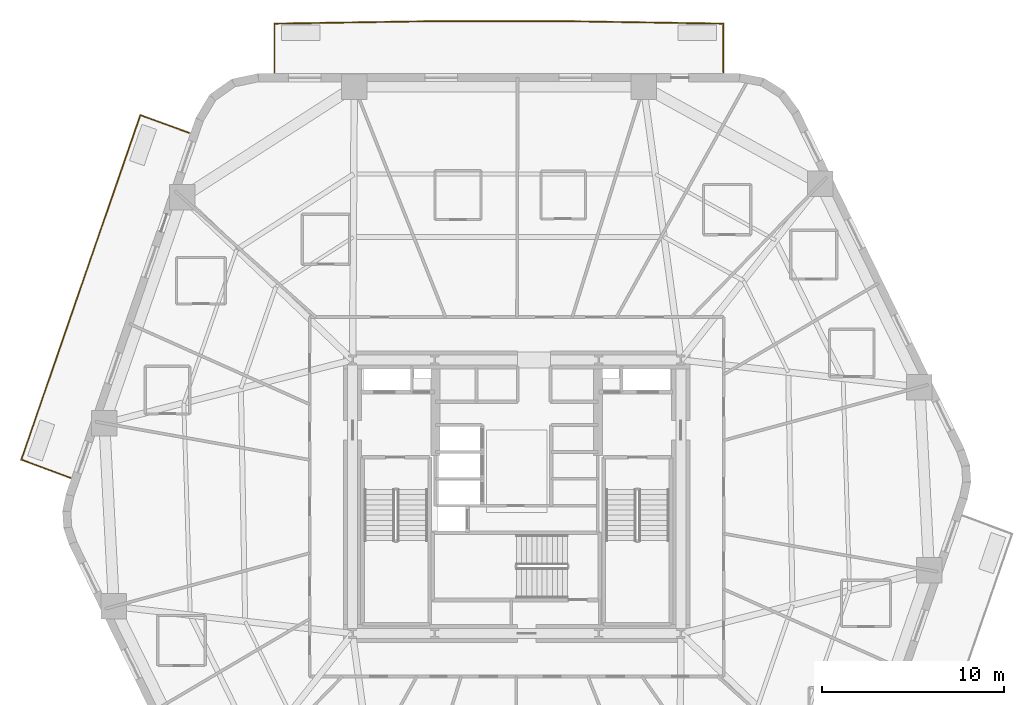
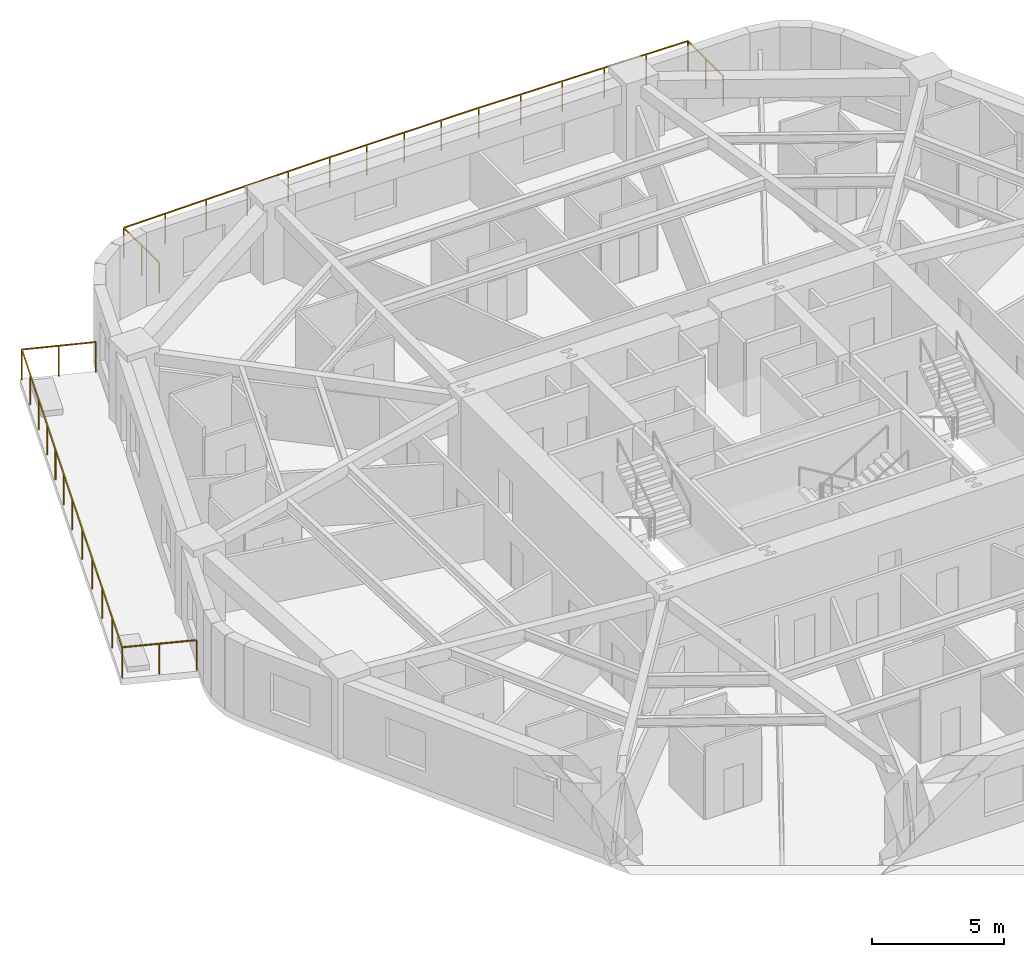
# One storey, part 11 of 11: 2 railings.
"""IFC4 building model written with IfcOpenShell, lengths in metres."""

from ifc_helpers import new_model, si_unit, direction, frame, origin, origin_2d, place, context, subcontext, project, spatial, rectangle, extrude, material, layer, layer_set, type_object, element, save


model = new_model("IFC4")

# Units and contexts
model_context = context("Model", 3, precision=1e-05, world=origin(), true_north=direction((0.0, 1.0)))
body_context = subcontext(model_context, "Body", "Model", "MODEL_VIEW")
ifc_project = project(units=[si_unit("LENGTHUNIT", "METRE"), si_unit("AREAUNIT", "SQUARE_METRE"), si_unit("VOLUMEUNIT", "CUBIC_METRE"), si_unit("PLANEANGLEUNIT", "RADIAN"), si_unit("MASSUNIT", "GRAM", prefix="KILO")], contexts=[model_context])

# Site, building, storey
site_placement = place(None, origin())
site = spatial("IfcSite", under=ifc_project, at=site_placement, CompositionType="ELEMENT")
building_placement = place(site_placement, origin())
building = spatial("IfcBuilding", under=site, at=building_placement, Name="Kilnhurst Terrace Hotel", CompositionType="ELEMENT")
storey_placement = place(building_placement, frame((0.0, 0.0, 37.89990234375)))
storey = spatial("IfcBuildingStorey", under=building, at=storey_placement, Name="L07", CompositionType="ELEMENT", Elevation=37.89990234375)

# Railings
ifc_material = material(Name="Laminated SentryGlas and Stainless Steel AISI 316L Balustrade", Category="steel")
ifc_layer = layer(ifc_material, 0.070068359375, Name="Laminated SentryGlas and Stainless Steel AISI 316L Balustrade")
ifc_layer_set = layer_set([ifc_layer], Name="Laminated SentryGlas and Stainless Steel AISI 316L Balustrade")
railing_type = type_object("IfcRailingType", Name="RLG-BAL-1420", PredefinedType="BALUSTRADE", material=ifc_layer_set)
railing_1_placement = place(storey_placement, frame((-13.281494140625, 23.280029296875, 0.0)))
element("IfcRailing", 1, at=railing_1_placement, inside=storey, type_object=railing_type, Name="L07 Exterior Terrace Guardrail BAL-L2A.1", PredefinedType="BALUSTRADE", context=body_context, shape_type="SweptSolid", body=[
    extrude(rectangle(XDim=0.048095703125, YDim=0.048095703125, at=origin_2d()), frame((0.0, 0.0, 1.39599609375), z_axis=(0.0, 1.0, 0.0), x_axis=(-1.0, 0.0, 0.0)), (0.0, 0.0, 1.0), 2.660888671875),
    extrude(rectangle(XDim=0.048095703125, YDim=0.048095703125, at=origin_2d()), frame((0.0, 2.660888671875, 1.39599609375), z_axis=(0.999881869157, 0.015370352358, 0.0), x_axis=(-0.015370352358, 0.999881869157, 0.0)), (0.0, 0.0, 1.0), 9.0537109375),
    extrude(rectangle(XDim=0.048095703125, YDim=0.048095703125, at=origin_2d()), frame((9.052734375, 2.800048828125, 1.39599609375), z_axis=(1.0, 0.0, 0.0), x_axis=(0.0, 1.0, 0.0)), (0.0, 0.0, 1.0), 6.508056640625),
    extrude(rectangle(XDim=0.048095703125, YDim=0.048095703125, at=origin_2d()), frame((15.560791015625, 2.800048828125, 1.39599609375), z_axis=(0.999881869157, -0.015370352358, 0.0), x_axis=(0.015370352358, 0.999881869157, 0.0)), (0.0, 0.0, 1.0), 9.0537109375),
    extrude(rectangle(XDim=0.048095703125, YDim=0.048095703125, at=origin_2d()), frame((24.613525390625, 2.660888671875, 1.39599609375), z_axis=(0.0, -1.0, 0.0), x_axis=(1.0, 0.0, 0.0)), (0.0, 0.0, 1.0), 2.660888671875),
    extrude(rectangle(XDim=0.0419921875, YDim=0.0419921875, at=origin_2d()), origin(), (0.0, 0.0, 1.0), 1.371826171875),
    extrude(rectangle(XDim=0.0419921875, YDim=0.0419921875, at=origin_2d()), frame((0.0, 1.33056640625, 0.0)), (0.0, 0.0, 1.0), 1.371826171875),
    extrude(rectangle(XDim=0.0419921875, YDim=0.0419921875, at=origin_2d()), frame((0.0, 2.660888671875, 0.0)), (0.0, 0.0, 1.0), 1.371826171875),
    extrude(rectangle(XDim=0.0419921875, YDim=0.0419921875, at=origin_2d()), frame((1.810546875, 2.688720703125, 0.0)), (0.0, 0.0, 1.0), 1.371826171875),
    extrude(rectangle(XDim=0.0419921875, YDim=0.0419921875, at=origin_2d()), frame((3.62109375, 2.716552734375, 0.0)), (0.0, 0.0, 1.0), 1.371826171875),
    extrude(rectangle(XDim=0.0419921875, YDim=0.0419921875, at=origin_2d()), frame((5.431640625, 2.744384765625, 0.0)), (0.0, 0.0, 1.0), 1.371826171875),
    extrude(rectangle(XDim=0.0419921875, YDim=0.0419921875, at=origin_2d()), frame((7.2421875, 2.772216796875, 0.0)), (0.0, 0.0, 1.0), 1.371826171875),
    extrude(rectangle(XDim=0.0419921875, YDim=0.0419921875, at=origin_2d()), frame((9.052734375, 2.800048828125, 0.0)), (0.0, 0.0, 1.0), 1.371826171875),
    extrude(rectangle(XDim=0.0419921875, YDim=0.0419921875, at=origin_2d()), frame((10.6796875, 2.800048828125, 0.0)), (0.0, 0.0, 1.0), 1.371826171875),
    extrude(rectangle(XDim=0.0419921875, YDim=0.0419921875, at=origin_2d()), frame((12.306640625, 2.800048828125, 0.0)), (0.0, 0.0, 1.0), 1.371826171875),
    extrude(rectangle(XDim=0.0419921875, YDim=0.0419921875, at=origin_2d()), frame((13.933837890625, 2.800048828125, 0.0)), (0.0, 0.0, 1.0), 1.371826171875),
    extrude(rectangle(XDim=0.0419921875, YDim=0.0419921875, at=origin_2d()), frame((15.560791015625, 2.800048828125, 0.0)), (0.0, 0.0, 1.0), 1.371826171875),
    extrude(rectangle(XDim=0.0419921875, YDim=0.0419921875, at=origin_2d()), frame((17.371337890625, 2.772216796875, 0.0)), (0.0, 0.0, 1.0), 1.371826171875),
    extrude(rectangle(XDim=0.0419921875, YDim=0.0419921875, at=origin_2d()), frame((19.181884765625, 2.744384765625, 0.0)), (0.0, 0.0, 1.0), 1.371826171875),
    extrude(rectangle(XDim=0.0419921875, YDim=0.0419921875, at=origin_2d()), frame((20.992431640625, 2.716552734375, 0.0)), (0.0, 0.0, 1.0), 1.371826171875),
    extrude(rectangle(XDim=0.0419921875, YDim=0.0419921875, at=origin_2d()), frame((22.802978515625, 2.688720703125, 0.0)), (0.0, 0.0, 1.0), 1.371826171875),
    extrude(rectangle(XDim=0.0419921875, YDim=0.0419921875, at=origin_2d()), frame((24.613525390625, 2.660888671875, 0.0)), (0.0, 0.0, 1.0), 1.371826171875),
    extrude(rectangle(XDim=0.0419921875, YDim=0.0419921875, at=origin_2d()), frame((24.613525390625, 1.33056640625, 0.0)), (0.0, 0.0, 1.0), 1.371826171875),
    extrude(rectangle(XDim=0.0419921875, YDim=0.0419921875, at=origin_2d()), frame((24.613525390625, 0.0, 0.0)), (0.0, 0.0, 1.0), 1.371826171875),
])
railing_2_placement = place(storey_placement, frame((-24.485107421875, 1.041748046875, 0.0)))
element("IfcRailing", 2, at=railing_2_placement, inside=storey, type_object=railing_type, Name="L07 Exterior Terrace Guardrail BAL-L2B.1", PredefinedType="BALUSTRADE", context=body_context, shape_type="SweptSolid", body=[
    extrude(rectangle(XDim=0.048095703125, YDim=0.048095703125, at=origin_2d()), frame((0.0, 0.0, 1.39599609375), z_axis=(-0.937279097592, 0.348579823308, 0.0), x_axis=(-0.348579823308, -0.937279097592, 0.0)), (0.0, 0.0, 1.0), 2.85205078125),
    extrude(rectangle(XDim=0.048095703125, YDim=0.048095703125, at=origin_2d()), frame((-2.673095703125, 0.994140625, 1.39599609375), z_axis=(0.326159116329, 0.945314884488, 0.0), x_axis=(-0.945314884488, 0.326159116329, 0.0)), (0.0, 0.0, 1.0), 9.91650390625),
    extrude(rectangle(XDim=0.048095703125, YDim=0.048095703125, at=origin_2d()), frame((0.561279296875, 10.368408203125, 1.39599609375), z_axis=(0.326903959129, 0.945057565181, 0.0), x_axis=(-0.945057565181, 0.326903959129, 0.0)), (0.0, 0.0, 1.0), 10.065673828125),
    extrude(rectangle(XDim=0.048095703125, YDim=0.048095703125, at=origin_2d()), frame((3.851806640625, 19.881103515625, 1.39599609375), z_axis=(0.939926315563, -0.341377388402, 0.0), x_axis=(0.341377388402, 0.939926315563, 0.0)), (0.0, 0.0, 1.0), 2.84130859375),
    extrude(rectangle(XDim=0.0419921875, YDim=0.0419921875, at=origin_2d()), origin(), (0.0, 0.0, 1.0), 1.371826171875),
    extrude(rectangle(XDim=0.0419921875, YDim=0.0419921875, at=origin_2d()), frame((-1.33642578125, 0.4970703125, 0.0)), (0.0, 0.0, 1.0), 1.371826171875),
    extrude(rectangle(XDim=0.0419921875, YDim=0.0419921875, at=origin_2d()), frame((-2.673095703125, 0.994140625, 0.0)), (0.0, 0.0, 1.0), 1.371826171875),
    extrude(rectangle(XDim=0.0419921875, YDim=0.0419921875, at=origin_2d()), frame((-2.026123046875, 2.868896484375, 0.0)), (0.0, 0.0, 1.0), 1.371826171875),
    extrude(rectangle(XDim=0.0419921875, YDim=0.0419921875, at=origin_2d()), frame((-1.37939453125, 4.743896484375, 0.0)), (0.0, 0.0, 1.0), 1.371826171875),
    extrude(rectangle(XDim=0.0419921875, YDim=0.0419921875, at=origin_2d()), frame((-0.732421875, 6.61865234375, 0.0)), (0.0, 0.0, 1.0), 1.371826171875),
    extrude(rectangle(XDim=0.0419921875, YDim=0.0419921875, at=origin_2d()), frame((-0.085693359375, 8.49365234375, 0.0)), (0.0, 0.0, 1.0), 1.371826171875),
    extrude(rectangle(XDim=0.0419921875, YDim=0.0419921875, at=origin_2d()), frame((0.561279296875, 10.368408203125, 0.0)), (0.0, 0.0, 1.0), 1.371826171875),
    extrude(rectangle(XDim=0.0419921875, YDim=0.0419921875, at=origin_2d()), frame((1.109619140625, 11.953857421875, 0.0)), (0.0, 0.0, 1.0), 1.371826171875),
    extrude(rectangle(XDim=0.0419921875, YDim=0.0419921875, at=origin_2d()), frame((1.658203125, 13.539306640625, 0.0)), (0.0, 0.0, 1.0), 1.371826171875),
    extrude(rectangle(XDim=0.0419921875, YDim=0.0419921875, at=origin_2d()), frame((2.20654296875, 15.124755859375, 0.0)), (0.0, 0.0, 1.0), 1.371826171875),
    extrude(rectangle(XDim=0.0419921875, YDim=0.0419921875, at=origin_2d()), frame((2.7548828125, 16.710205078125, 0.0)), (0.0, 0.0, 1.0), 1.371826171875),
    extrude(rectangle(XDim=0.0419921875, YDim=0.0419921875, at=origin_2d()), frame((3.303466796875, 18.295654296875, 0.0)), (0.0, 0.0, 1.0), 1.371826171875),
    extrude(rectangle(XDim=0.0419921875, YDim=0.0419921875, at=origin_2d()), frame((3.851806640625, 19.881103515625, 0.0)), (0.0, 0.0, 1.0), 1.371826171875),
    extrude(rectangle(XDim=0.0419921875, YDim=0.0419921875, at=origin_2d()), frame((5.18701171875, 19.39599609375, 0.0)), (0.0, 0.0, 1.0), 1.371826171875),
    extrude(rectangle(XDim=0.0419921875, YDim=0.0419921875, at=origin_2d()), frame((6.5224609375, 18.9111328125, 0.0)), (0.0, 0.0, 1.0), 1.371826171875),
])

save(model, "model.ifc")
